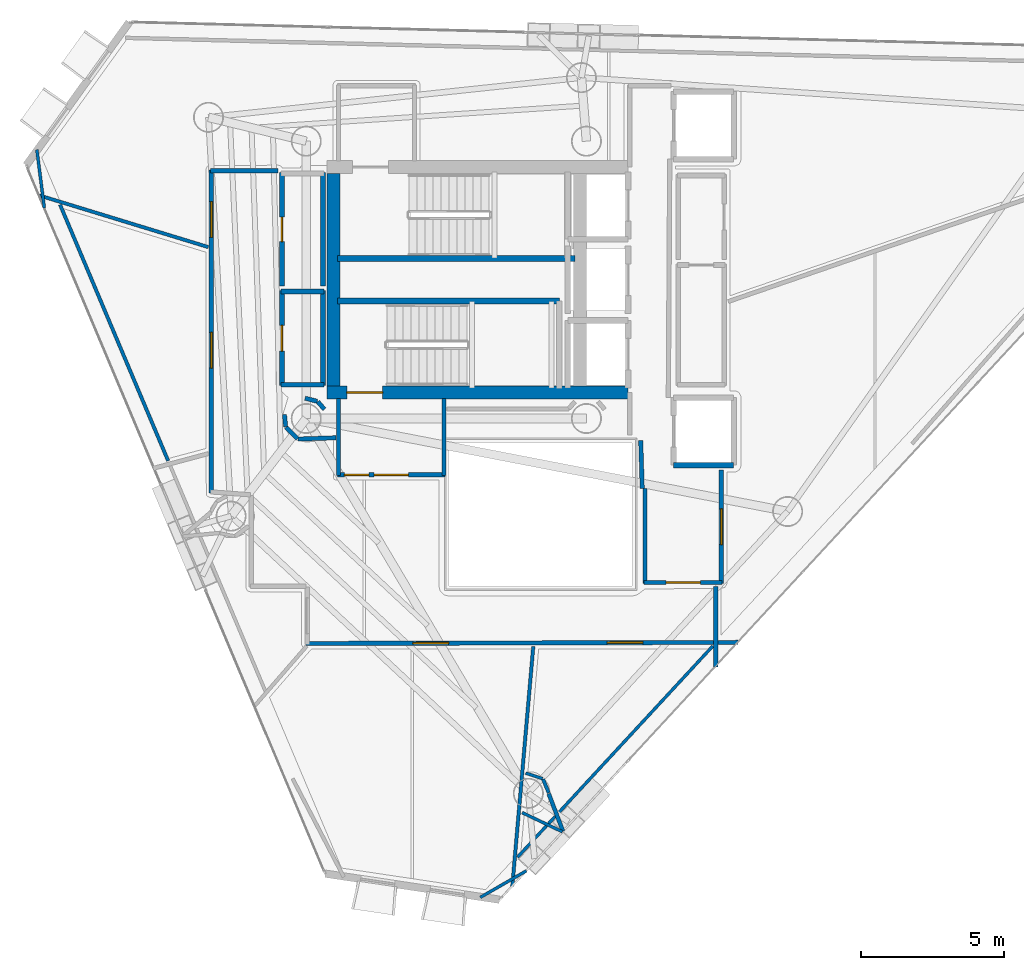
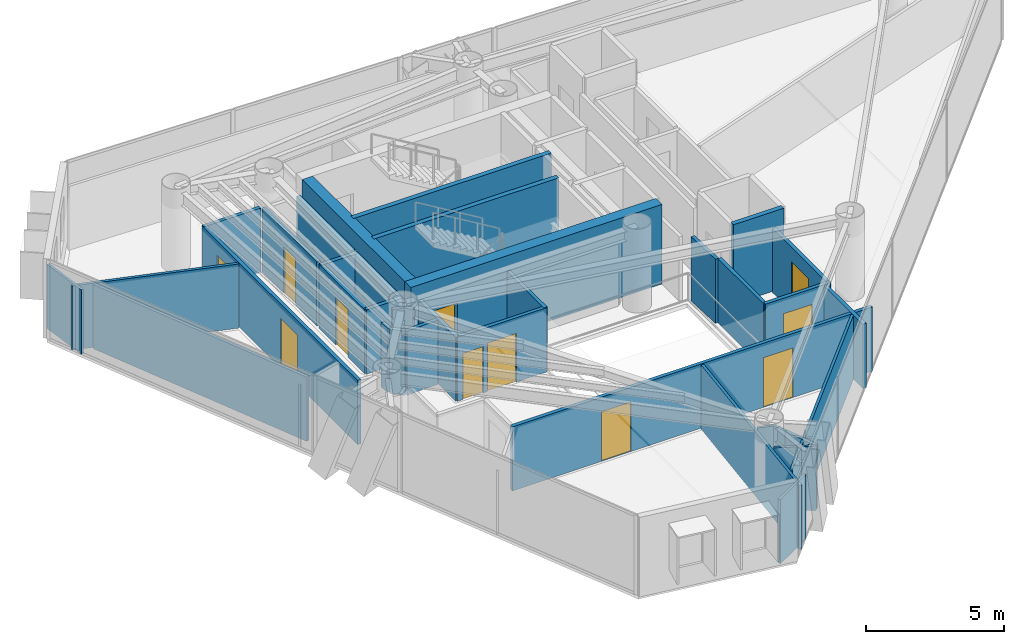
# One storey, part 15 of 21: 37 walls, 11 doors, 11 openings.
"""IFC4 building model written with IfcOpenShell, lengths in metres."""

from ifc_helpers import new_model, si_unit, direction, frame, frame_2d, origin, place, context, subcontext, project, spatial, rectangle, extrude, material, layer, layer_set, type_object, element, fill, save


model = new_model("IFC4")

# Units and contexts
model_context = context("Model", 3, precision=1e-05, world=origin(), true_north=direction((0.0, 1.0)))
body_context = subcontext(model_context, "Body", "Model", "MODEL_VIEW")
ifc_project = project(units=[si_unit("LENGTHUNIT", "METRE"), si_unit("AREAUNIT", "SQUARE_METRE"), si_unit("VOLUMEUNIT", "CUBIC_METRE"), si_unit("PLANEANGLEUNIT", "RADIAN"), si_unit("MASSUNIT", "GRAM", prefix="KILO")], contexts=[model_context])

# Site, building, storey
site_placement = place(None, origin())
site = spatial("IfcSite", under=ifc_project, at=site_placement, CompositionType="ELEMENT")
building_placement = place(site_placement, origin())
building = spatial("IfcBuilding", under=site, at=building_placement, Name="Qianvela Tower", CompositionType="ELEMENT")
storey_placement = place(building_placement, frame((0.0, 0.0, 246.39990234375)))
storey = spatial("IfcBuildingStorey", under=building, at=storey_placement, Name="L63", CompositionType="ELEMENT", Elevation=246.39990234375)

# Wall, opening, door
ifc_material_1 = material(Name="Concrete C50", Category="concrete")
ifc_layer_1 = layer(ifc_material_1, 0.449951171875)
ifc_layer_set_1 = layer_set([ifc_layer_1], Name="Concrete C50")
wall_type_1 = type_object("IfcWallType", Name="WT-CORE-450", PredefinedType="SHEAR", material=ifc_layer_set_1)
wall_1_placement = place(storey_placement, frame((29.330078125, 24.7548828125, 0.0), z_axis=(0.0, 0.0, 1.0), x_axis=(1.0, 0.0, 0.0)))
wall_1 = element("IfcWall", 1, at=wall_1_placement, inside=storey, type_object=wall_type_1, Name="L63 South Core Shear Wall", PredefinedType="SHEAR", context=body_context, shape_type="SweptSolid", body=[
    extrude(rectangle(XDim=10.52001953125, YDim=0.449951171875, at=frame_2d((5.260009765625, 0.0))), origin(), (0.0, 0.0, 1.0), 3.52001953125),
])
opening_1_placement = place(wall_1_placement, frame((0.695068359375, 0.0, 0.0)))
opening_1 = element("IfcOpeningElement", 2, at=opening_1_placement, cuts=wall_1, Name="Opening D-ST1", PredefinedType="OPENING", context=body_context, shape_type="SweptSolid", body=[
    extrude(rectangle(XDim=1.25, YDim=2.14990234375, at=frame_2d((0.625, 1.074951171875))), frame((0.0, 0.23486328125, 0.0), z_axis=(0.0, -1.0, 0.0), x_axis=(1.0, 0.0, 0.0)), (0.0, 0.0, 1.0), 0.469970703125),
])
ifc_material_2 = material(Name="Galvanised Fire Steel Q355B", Category="steel")
door_type_1 = type_object("IfcDoorType", Name="DT-STAIR-FD90", OperationType="NOTDEFINED", PredefinedType="DOOR", material=ifc_material_2)
door_1_placement = place(opening_1_placement, origin())
door_1 = element("IfcDoor", 3, at=door_1_placement, inside=storey, type_object=door_type_1, Name="L63 Stair ST-2 Exit Door", OperationType="SINGLE_SWING_LEFT", OverallHeight=2.14990234375, OverallWidth=1.25, PredefinedType="DOOR", context=body_context, shape_type="SweptSolid", body=[
    extrude(rectangle(XDim=1.25, YDim=2.14990234375, at=frame_2d((0.625, 1.074951171875))), frame((0.0, 0.02490234375, 0.0), z_axis=(0.0, -1.0, 0.0), x_axis=(1.0, 0.0, 0.0)), (0.0, 0.0, 1.0), 0.050048828125),
])
fill(opening_1, door_1)

# Wall
wall_2_placement = place(storey_placement, frame((29.554931640625, 24.97998046875, 0.0), z_axis=(0.0, 0.0, 1.0), x_axis=(0.0, 1.0, 0.0)))
element("IfcWall", 4, at=wall_2_placement, inside=storey, type_object=wall_type_1, Name="L63 West Core Shear Wall", PredefinedType="SHEAR", context=body_context, shape_type="SweptSolid", body=[
    extrude(rectangle(XDim=7.43994140625, YDim=0.449951171875, at=frame_2d((3.719970703125, 0.0))), origin(), (0.0, 0.0, 1.0), 3.52001953125),
])

# Wall, openings, doors
ifc_material_3 = material(Name="Fire-Rated Acoustic Gypsum Board")
ifc_layer_2 = layer(ifc_material_3, 0.14990234375)
ifc_layer_set_2 = layer_set([ifc_layer_2], Name="Fire-Rated Acoustic Gypsum Board")
wall_type_2 = type_object("IfcWallType", Name="WT-CORR-150", PredefinedType="PARTITIONING", material=ifc_layer_set_2)
wall_3_placement = place(storey_placement, frame((33.449951171875, 21.881103515625, 0.0), z_axis=(0.0, 0.0, 1.0), x_axis=(-1.0, 0.0, 0.0)))
wall_3 = element("IfcWall", 5, at=wall_3_placement, inside=storey, type_object=wall_type_2, Name="L63 Partition 5", PredefinedType="PARTITIONING", context=body_context, shape_type="SweptSolid", body=[
    extrude(rectangle(XDim=3.75, YDim=0.14990234375, at=frame_2d((1.875, 0.0))), origin(), (0.0, 0.0, 1.0), 2.840087890625),
])
opening_2_placement = place(wall_3_placement, frame((1.27490234375, 0.0, 0.0)))
opening_2 = element("IfcOpeningElement", 6, at=opening_2_placement, cuts=wall_3, Name="Opening D-LB1", PredefinedType="OPENING", context=body_context, shape_type="SweptSolid", body=[
    extrude(rectangle(XDim=1.199951171875, YDim=2.14990234375, at=frame_2d((0.60009765625, 1.074951171875))), frame((0.0, 0.0849609375, 0.0), z_axis=(0.0, -1.0, 0.0), x_axis=(1.0, 0.0, 0.0)), (0.0, 0.0, 1.0), 0.169921875),
])
opening_3_placement = place(wall_3_placement, frame((2.659912109375, 0.0, 0.0)))
opening_3 = element("IfcOpeningElement", 7, at=opening_3_placement, cuts=wall_3, Name="Opening D-LB2", PredefinedType="OPENING", context=body_context, shape_type="SweptSolid", body=[
    extrude(rectangle(XDim=0.860107421875, YDim=2.050048828125, at=frame_2d((0.43017578125, 1.02490234375))), frame((0.0, 0.0849609375, 0.0), z_axis=(0.0, -1.0, 0.0), x_axis=(1.0, 0.0, 0.0)), (0.0, 0.0, 1.0), 0.169921875),
])
ifc_material_4 = material(Name="Glazed Fire-Rated Steel Frame", Category="steel")
door_type_2 = type_object("IfcDoorType", Name="DT-LOBBY-FD90", OperationType="NOTDEFINED", PredefinedType="DOOR", material=ifc_material_4)
door_2_placement = place(opening_2_placement, origin())
door_2 = element("IfcDoor", 8, at=door_2_placement, inside=storey, type_object=door_type_2, Name="L63 Door L63 Firefighting Lobby South to L63 Floor Corridor", OperationType="SINGLE_SWING_LEFT", OverallHeight=2.14990234375, OverallWidth=1.199951171875, PredefinedType="DOOR", context=body_context, shape_type="SweptSolid", body=[
    extrude(rectangle(XDim=1.199951171875, YDim=2.14990234375, at=frame_2d((0.60009765625, 1.074951171875))), frame((0.0, 0.02490234375, 0.0), z_axis=(0.0, -1.0, 0.0), x_axis=(1.0, 0.0, 0.0)), (0.0, 0.0, 1.0), 0.050048828125),
])
fill(opening_2, door_2)
ifc_material_5 = material(Name="Insulated Steel Fire Door Q355B", Category="steel")
door_type_3 = type_object("IfcDoorType", Name="DT-LOBBY-FD90-860", OperationType="NOTDEFINED", PredefinedType="DOOR", material=ifc_material_5)
door_3_placement = place(opening_3_placement, origin())
door_3 = element("IfcDoor", 9, at=door_3_placement, inside=storey, type_object=door_type_3, Name="L63 Door L63 Firefighting Lobby South to L63 Floor Corridor", OperationType="SINGLE_SWING_LEFT", OverallHeight=2.050048828125, OverallWidth=0.860107421875, PredefinedType="DOOR", context=body_context, shape_type="SweptSolid", body=[
    extrude(rectangle(XDim=0.860107421875, YDim=2.050048828125, at=frame_2d((0.43017578125, 1.02490234375))), frame((0.0, 0.02490234375, 0.0), z_axis=(0.0, -1.0, 0.0), x_axis=(1.0, 0.0, 0.0)), (0.0, 0.0, 1.0), 0.050048828125),
])
fill(opening_3, door_3)

# Walls
for number, where, z_axis, x_axis, name in (
    (10, (29.73095703125, 21.85009765625, 0.0), (0.0, 0.0, 1.0), (0.0, 1.0, 0.0), "L63 Partition 6"),
    (11, (33.4189453125, 24.5419921875, 0.0), (0.0, 0.0, 1.0), (0.0, -1.0, 0.0), "L63 Partition 8"),
):
    element("IfcWall", number, at=place(storey_placement, frame(where, z_axis=z_axis, x_axis=x_axis)), inside=storey, type_object=wall_type_2, Name=name, PredefinedType="PARTITIONING", context=body_context, shape_type="SweptSolid", body=[
        extrude(rectangle(XDim=2.69189453125, YDim=0.14990234375, at=frame_2d((1.345947265625, 0.0))), origin(), (0.0, 0.0, 1.0), 2.840087890625),
    ])
wall_4_placement = place(storey_placement, frame((40.35107421875, 21.40087890625, 0.0), z_axis=(0.0, 0.0, 1.0), x_axis=(-0.031058045979, 0.999517582527, 0.0)))
element("IfcWall", 12, at=wall_4_placement, inside=storey, type_object=wall_type_2, Name="L63 Partition 9", PredefinedType="PARTITIONING", context=body_context, shape_type="SweptSolid", body=[
    extrude(rectangle(XDim=1.68212890625, YDim=0.14990234375, at=frame_2d((0.841064453125, 0.0))), origin(), (0.0, 0.0, 1.0), 2.840087890625),
])

# Wall, opening, door
wall_5_placement = place(storey_placement, frame((43.118896484375, 22.050048828125, 0.0), z_axis=(0.0, 0.0, 1.0), x_axis=(0.0, -1.0, 0.0)))
wall_5 = element("IfcWall", 13, at=wall_5_placement, inside=storey, type_object=wall_type_2, Name="L63 Partition 16", PredefinedType="PARTITIONING", context=body_context, shape_type="SweptSolid", body=[
    extrude(rectangle(XDim=3.969970703125, YDim=0.14990234375, at=frame_2d((1.98486328125, 0.0))), origin(), (0.0, 0.0, 1.0), 2.840087890625),
])
opening_4_placement = place(wall_5_placement, frame((1.360107421875, 0.0, 0.0)))
opening_4 = element("IfcOpeningElement", 14, at=opening_4_placement, cuts=wall_5, Name="Opening D-LG1", PredefinedType="OPENING", context=body_context, shape_type="SweptSolid", body=[
    extrude(rectangle(XDim=1.25, YDim=2.199951171875, at=frame_2d((0.625, 1.10009765625))), frame((0.0, 0.0849609375, 0.0), z_axis=(0.0, -1.0, 0.0), x_axis=(1.0, 0.0, 0.0)), (0.0, 0.0, 1.0), 0.169921875),
])
ifc_material_6 = material(Name="Anodised Aluminium Acoustic Glass Door", Category="aluminium")
door_type_4 = type_object("IfcDoorType", Name="DT-LOUNGE-1250", OperationType="NOTDEFINED", PredefinedType="DOOR", material=ifc_material_6)
door_4_placement = place(opening_4_placement, origin())
door_4 = element("IfcDoor", 15, at=door_4_placement, inside=storey, type_object=door_type_4, Name="L63 Door Peer Support Study Room L63-04 to L63 Lift Lobby", OperationType="SINGLE_SWING_LEFT", OverallHeight=2.199951171875, OverallWidth=1.25, PredefinedType="DOOR", context=body_context, shape_type="SweptSolid", body=[
    extrude(rectangle(XDim=1.25, YDim=2.199951171875, at=frame_2d((0.625, 1.10009765625))), frame((0.0, 0.02490234375, 0.0), z_axis=(0.0, -1.0, 0.0), x_axis=(1.0, 0.0, 0.0)), (0.0, 0.0, 1.0), 0.050048828125),
])
fill(opening_4, door_4)

wall_6_placement = place(storey_placement, frame((43.14990234375, 18.111083984375, 0.0), z_axis=(0.0, 0.0, 1.0), x_axis=(-1.0, 0.0, 0.0)))
wall_6 = element("IfcWall", 16, at=wall_6_placement, inside=storey, type_object=wall_type_2, Name="L63 Partition 17", PredefinedType="PARTITIONING", context=body_context, shape_type="SweptSolid", body=[
    extrude(rectangle(XDim=2.72998046875, YDim=0.14990234375, at=frame_2d((1.364990234375, 0.0))), origin(), (0.0, 0.0, 1.0), 2.840087890625),
])
opening_5_placement = place(wall_6_placement, frame((0.764892578125, 0.0, 0.0)))
opening_5 = element("IfcOpeningElement", 17, at=opening_5_placement, cuts=wall_6, Name="Opening D-LB1", PredefinedType="OPENING", context=body_context, shape_type="SweptSolid", body=[
    extrude(rectangle(XDim=1.199951171875, YDim=2.14990234375, at=frame_2d((0.60009765625, 1.074951171875))), frame((0.0, 0.0849609375, 0.0), z_axis=(0.0, -1.0, 0.0), x_axis=(1.0, 0.0, 0.0)), (0.0, 0.0, 1.0), 0.169921875),
])
door_5_placement = place(opening_5_placement, origin())
door_5 = element("IfcDoor", 18, at=door_5_placement, inside=storey, type_object=door_type_2, Name="L63 Door L63 Lift Lobby to L63 Floor Corridor", OperationType="SINGLE_SWING_RIGHT", OverallHeight=2.14990234375, OverallWidth=1.199951171875, PredefinedType="DOOR", context=body_context, shape_type="SweptSolid", body=[
    extrude(rectangle(XDim=1.199951171875, YDim=2.14990234375, at=frame_2d((0.60009765625, 1.074951171875))), frame((0.0, 0.02490234375, 0.0), z_axis=(0.0, -1.0, 0.0), x_axis=(1.0, 0.0, 0.0)), (0.0, 0.0, 1.0), 0.050048828125),
])
fill(opening_5, door_5)

# Walls
wall_7_placement = place(storey_placement, frame((40.450927734375, 18.080078125, 0.0), z_axis=(0.0, 0.0, 1.0), x_axis=(0.0, 1.0, 0.0)))
element("IfcWall", 19, at=wall_7_placement, inside=storey, type_object=wall_type_2, Name="L63 Partition 18 seg 1", PredefinedType="PARTITIONING", context=body_context, shape_type="SweptSolid", body=[
    extrude(rectangle(XDim=3.31982421875, YDim=0.14990234375, at=frame_2d((1.659912109375, 0.0))), origin(), (0.0, 0.0, 1.0), 2.840087890625),
])
wall_8_placement = place(storey_placement, frame((29.236083984375, 24.170166015625, 0.0), z_axis=(0.0, 0.0, 1.0), x_axis=(-0.652260263346, 0.757995084984, 0.0)))
element("IfcWall", 20, at=wall_8_placement, inside=storey, type_object=wall_type_2, Name="L63 Partition 39", PredefinedType="PARTITIONING", context=body_context, shape_type="SweptSolid", body=[
    extrude(rectangle(XDim=0.35546875, YDim=0.14990234375, at=frame_2d((0.177734375, 0.0))), origin(), (0.0, 0.0, 1.0), 2.840087890625),
])
wall_9_placement = place(storey_placement, frame((28.98828125, 24.44970703125, 0.0), z_axis=(0.0, 0.0, 1.0), x_axis=(-0.968704505916, 0.248216800836, 0.0)))
element("IfcWall", 21, at=wall_9_placement, inside=storey, type_object=wall_type_2, Name="L63 Partition 40", PredefinedType="PARTITIONING", context=body_context, shape_type="SweptSolid", body=[
    extrude(rectangle(XDim=0.444580078125, YDim=0.14990234375, at=frame_2d((0.22216796875, 0.0))), origin(), (0.0, 0.0, 1.0), 2.840087890625),
])
wall_10_placement = place(storey_placement, frame((27.83837890625, 23.9921875, 0.0), z_axis=(0.0, 0.0, 1.0), x_axis=(0.098273407977, -0.995159453196, 0.0)))
element("IfcWall", 22, at=wall_10_placement, inside=storey, type_object=wall_type_2, Name="L63 Partition 54", PredefinedType="PARTITIONING", context=body_context, shape_type="SweptSolid", body=[
    extrude(rectangle(XDim=0.432373046875, YDim=0.14990234375, at=frame_2d((0.21630859375, 0.0))), origin(), (0.0, 0.0, 1.0), 2.840087890625),
])
wall_11_placement = place(storey_placement, frame((27.889892578125, 23.54296875, 0.0), z_axis=(0.0, 0.0, 1.0), x_axis=(0.707106781187, -0.707106781187, 0.0)))
element("IfcWall", 23, at=wall_11_placement, inside=storey, type_object=wall_type_2, Name="L63 Partition 55", PredefinedType="PARTITIONING", context=body_context, shape_type="SweptSolid", body=[
    extrude(rectangle(XDim=0.570068359375, YDim=0.14990234375, at=frame_2d((0.28515625, 0.0))), origin(), (0.0, 0.0, 1.0), 2.840087890625),
])
wall_12_placement = place(storey_placement, frame((28.31591796875, 23.130615234375, 0.0), z_axis=(0.0, 0.0, 1.0), x_axis=(0.999405342193, 0.034481328227, 0.0)))
element("IfcWall", 24, at=wall_12_placement, inside=storey, type_object=wall_type_2, Name="L63 Partition 56", PredefinedType="PARTITIONING", context=body_context, shape_type="SweptSolid", body=[
    extrude(rectangle(XDim=1.323974609375, YDim=0.14990234375, at=frame_2d((0.662109375, 0.0))), origin(), (0.0, 0.0, 1.0), 2.840087890625),
])
wall_13_placement = place(storey_placement, frame((42.9189453125, 17.97998046875, 0.0), z_axis=(0.0, 0.0, 1.0), x_axis=(0.0, -1.0, 0.0)))
element("IfcWall", 25, at=wall_13_placement, inside=storey, type_object=wall_type_2, Name="L63 Partition 60", PredefinedType="PARTITIONING", context=body_context, shape_type="SweptSolid", body=[
    extrude(rectangle(XDim=2.812255859375, YDim=0.14990234375, at=frame_2d((1.40625, 0.0))), origin(), (0.0, 0.0, 1.0), 2.840087890625),
])

# Wall, openings, doors
wall_14_placement = place(storey_placement, frame((43.708740234375, 16.02001953125, 0.0), z_axis=(0.0, 0.0, 1.0), x_axis=(-0.999996657873, -0.002585390319, 0.0)))
wall_14 = element("IfcWall", 26, at=wall_14_placement, inside=storey, type_object=wall_type_2, Name="L63 Partition 61", PredefinedType="PARTITIONING", context=body_context, shape_type="SweptSolid", body=[
    extrude(rectangle(XDim=15.10888671875, YDim=0.14990234375, at=frame_2d((7.554443359375, 0.0))), origin(), (0.0, 0.0, 1.0), 2.840087890625),
])
opening_6_placement = place(wall_14_placement, frame((10.12939453125, 0.0, 0.0)))
opening_6 = element("IfcOpeningElement", 27, at=opening_6_placement, cuts=wall_14, Name="Opening D-LG1", PredefinedType="OPENING", context=body_context, shape_type="SweptSolid", body=[
    extrude(rectangle(XDim=1.25, YDim=2.199951171875, at=frame_2d((0.625, 1.10009765625))), frame((0.0, 0.0849609375, 0.0), z_axis=(0.0, -1.0, 0.0), x_axis=(1.0, 0.0, 0.0)), (0.0, 0.0, 1.0), 0.169921875),
])
opening_7_placement = place(wall_14_placement, frame((3.3369140625, 0.0, 0.0)))
opening_7 = element("IfcOpeningElement", 28, at=opening_7_placement, cuts=wall_14, Name="Opening D-LG1", PredefinedType="OPENING", context=body_context, shape_type="SweptSolid", body=[
    extrude(rectangle(XDim=1.25, YDim=2.199951171875, at=frame_2d((0.625, 1.10009765625))), frame((0.0, 0.0849609375, 0.0), z_axis=(0.0, -1.0, 0.0), x_axis=(1.0, 0.0, 0.0)), (0.0, 0.0, 1.0), 0.169921875),
])
door_6_placement = place(opening_6_placement, origin())
door_6 = element("IfcDoor", 29, at=door_6_placement, inside=storey, type_object=door_type_4, Name="L63 Door Maker Craft Workshop L63-02 to L63 Floor Corridor", OperationType="SINGLE_SWING_LEFT", OverallHeight=2.199951171875, OverallWidth=1.25, PredefinedType="DOOR", context=body_context, shape_type="SweptSolid", body=[
    extrude(rectangle(XDim=1.25, YDim=2.199951171875, at=frame_2d((0.625, 1.10009765625))), frame((0.0, 0.02490234375, 0.0), z_axis=(0.0, -1.0, 0.0), x_axis=(1.0, 0.0, 0.0)), (0.0, 0.0, 1.0), 0.050048828125),
])
fill(opening_6, door_6)
door_7_placement = place(opening_7_placement, origin())
door_7 = element("IfcDoor", 30, at=door_7_placement, inside=storey, type_object=door_type_4, Name="L63 Door Student Reading Library L63-03 to L63 Floor Corridor", OperationType="SINGLE_SWING_RIGHT", OverallHeight=2.199951171875, OverallWidth=1.25, PredefinedType="DOOR", context=body_context, shape_type="SweptSolid", body=[
    extrude(rectangle(XDim=1.25, YDim=2.199951171875, at=frame_2d((0.625, 1.10009765625))), frame((0.0, 0.02490234375, 0.0), z_axis=(0.0, -1.0, 0.0), x_axis=(1.0, 0.0, 0.0)), (0.0, 0.0, 1.0), 0.050048828125),
])
fill(opening_7, door_7)

wall_15_placement = place(storey_placement, frame((25.281005859375, 21.253173828125, 0.0), z_axis=(0.0, 0.0, 1.0), x_axis=(0.0, 1.0, 0.0)))
wall_15 = element("IfcWall", 31, at=wall_15_placement, inside=storey, type_object=wall_type_2, Name="L63 Partition 66", PredefinedType="PARTITIONING", context=body_context, shape_type="SweptSolid", body=[
    extrude(rectangle(XDim=11.296875, YDim=0.14990234375, at=frame_2d((5.6484375, 0.0))), origin(), (0.0, 0.0, 1.0), 2.840087890625),
])
opening_8_placement = place(wall_15_placement, frame((8.933349609375, 0.0, 0.0)))
opening_8 = element("IfcOpeningElement", 32, at=opening_8_placement, cuts=wall_15, Name="Opening D-LG1", PredefinedType="OPENING", context=body_context, shape_type="SweptSolid", body=[
    extrude(rectangle(XDim=1.25, YDim=2.199951171875, at=frame_2d((0.625, 1.10009765625))), frame((0.0, 0.0849609375, 0.0), z_axis=(0.0, -1.0, 0.0), x_axis=(1.0, 0.0, 0.0)), (0.0, 0.0, 1.0), 0.169921875),
])
opening_9_placement = place(wall_15_placement, frame((4.3564453125, 0.0, 0.0)))
opening_9 = element("IfcOpeningElement", 33, at=opening_9_placement, cuts=wall_15, Name="Opening D-LG1", PredefinedType="OPENING", context=body_context, shape_type="SweptSolid", body=[
    extrude(rectangle(XDim=1.25, YDim=2.199951171875, at=frame_2d((0.625, 1.10009765625))), frame((0.0, 0.0849609375, 0.0), z_axis=(0.0, -1.0, 0.0), x_axis=(1.0, 0.0, 0.0)), (0.0, 0.0, 1.0), 0.169921875),
])
door_8_placement = place(opening_8_placement, origin())
door_8 = element("IfcDoor", 34, at=door_8_placement, inside=storey, type_object=door_type_4, Name="L63 Door Academic Advising Lounge L63-05 to L63 Floor Corridor", OperationType="SINGLE_SWING_RIGHT", OverallHeight=2.199951171875, OverallWidth=1.25, PredefinedType="DOOR", context=body_context, shape_type="SweptSolid", body=[
    extrude(rectangle(XDim=1.25, YDim=2.199951171875, at=frame_2d((0.625, 1.10009765625))), frame((0.0, 0.02490234375, 0.0), z_axis=(0.0, -1.0, 0.0), x_axis=(1.0, 0.0, 0.0)), (0.0, 0.0, 1.0), 0.050048828125),
])
fill(opening_8, door_8)
door_9_placement = place(opening_9_placement, origin())
door_9 = element("IfcDoor", 35, at=door_9_placement, inside=storey, type_object=door_type_4, Name="L63 Door Student Wellness Lounge L63-06 to L63 Floor Corridor", OperationType="SINGLE_SWING_LEFT", OverallHeight=2.199951171875, OverallWidth=1.25, PredefinedType="DOOR", context=body_context, shape_type="SweptSolid", body=[
    extrude(rectangle(XDim=1.25, YDim=2.199951171875, at=frame_2d((0.625, 1.10009765625))), frame((0.0, 0.02490234375, 0.0), z_axis=(0.0, -1.0, 0.0), x_axis=(1.0, 0.0, 0.0)), (0.0, 0.0, 1.0), 0.050048828125),
])
fill(opening_9, door_9)

# Walls
wall_16_placement = place(storey_placement, frame((25.25, 32.51904296875, 0.0), z_axis=(0.0, 0.0, 1.0), x_axis=(1.0, 0.0, 0.0)))
element("IfcWall", 36, at=wall_16_placement, inside=storey, type_object=wall_type_2, Name="L63 Partition 67", PredefinedType="PARTITIONING", context=body_context, shape_type="SweptSolid", body=[
    extrude(rectangle(XDim=2.3701171875, YDim=0.14990234375, at=frame_2d((1.18505859375, 0.0))), origin(), (0.0, 0.0, 1.0), 2.840087890625),
])
ifc_material_7 = material(Name="Lightweight Gypsum Room Partition")
ifc_layer_3 = layer(ifc_material_7, 0.10498046875)
ifc_layer_set_3 = layer_set([ifc_layer_3], Name="Lightweight Gypsum Room Partition")
wall_type_3 = type_object("IfcWallType", Name="WT-PART-105", PredefinedType="PARTITIONING", material=ifc_layer_set_3)
wall_17_placement = place(storey_placement, frame((36.29833984375, 8.02978515625, 0.0), z_axis=(0.0, 0.0, 1.0), x_axis=(-0.866165900759, -0.499756573106, 0.0)))
element("IfcWall", 37, at=wall_17_placement, inside=storey, type_object=wall_type_3, Name="L63 Partition 82", PredefinedType="PARTITIONING", context=body_context, shape_type="SweptSolid", body=[
    extrude(rectangle(XDim=1.8583984375, YDim=0.10498046875, at=frame_2d((0.92919921875, 0.0))), origin(), (0.0, 0.0, 1.0), 2.840087890625),
])
wall_18_placement = place(storey_placement, frame((36.15478515625, 10.065185546875, 0.0), z_axis=(0.0, 0.0, 1.0), x_axis=(0.902669244989, -0.430335025476, 0.0)))
element("IfcWall", 38, at=wall_18_placement, inside=storey, type_object=wall_type_3, Name="L63 Partition 88", PredefinedType="PARTITIONING", context=body_context, shape_type="SweptSolid", body=[
    extrude(rectangle(XDim=1.557861328125, YDim=0.10498046875, at=frame_2d((0.77880859375, 0.0))), origin(), (0.0, 0.0, 1.0), 2.840087890625),
])
wall_19_placement = place(storey_placement, frame((36.86279296875, 11.255859375, 0.0), z_axis=(0.0, 0.0, 1.0), x_axis=(-0.95118515413, 0.30862080708, 0.0)))
element("IfcWall", 39, at=wall_19_placement, inside=storey, type_object=wall_type_3, Name="L63 Partition 91", PredefinedType="PARTITIONING", context=body_context, shape_type="SweptSolid", body=[
    extrude(rectangle(XDim=0.616943359375, YDim=0.10498046875, at=frame_2d((0.30859375, 0.0))), origin(), (0.0, 0.0, 1.0), 2.840087890625),
])
wall_20_placement = place(storey_placement, frame((42.819091796875, 15.89111328125, 0.0), z_axis=(0.0, 0.0, 1.0), x_axis=(-0.679018444949, -0.734121210305, 0.0)))
element("IfcWall", 40, at=wall_20_placement, inside=storey, type_object=wall_type_3, Name="L63 Partition 94", PredefinedType="PARTITIONING", context=body_context, shape_type="SweptSolid", body=[
    extrude(rectangle(XDim=10.06201171875, YDim=0.10498046875, at=frame_2d((5.031005859375, 0.0))), origin(), (0.0, 0.0, 1.0), 2.840087890625),
])
wall_21_placement = place(storey_placement, frame((19.439208984375, 31.217041015625, 0.0), z_axis=(0.0, 0.0, 1.0), x_axis=(-0.126993176295, 0.991903590665, 0.0)))
element("IfcWall", 41, at=wall_21_placement, inside=storey, type_object=wall_type_3, Name="L63 Partition 109", PredefinedType="PARTITIONING", context=body_context, shape_type="SweptSolid", body=[
    extrude(rectangle(XDim=2.05126953125, YDim=0.10498046875, at=frame_2d((1.025634765625, 0.0))), origin(), (0.0, 0.0, 1.0), 2.840087890625),
])
ifc_material_8 = material(Name="Insulated Gypsum Stud Partition")
ifc_layer_4 = layer(ifc_material_8, 0.1201171875)
ifc_layer_set_4 = layer_set([ifc_layer_4], Name="Insulated Gypsum Stud Partition")
wall_type_4 = type_object("IfcWallType", Name="WT-PART-120", PredefinedType="PARTITIONING", material=ifc_layer_set_4)
wall_22_placement = place(storey_placement, frame((36.540771484375, 15.872802734375, 0.0), z_axis=(0.0, 0.0, 1.0), x_axis=(-0.087164793469, -0.996193906215, 0.0)))
element("IfcWall", 42, at=wall_22_placement, inside=storey, type_object=wall_type_4, Name="L63 Partition 87", PredefinedType="PARTITIONING", context=body_context, shape_type="SweptSolid", body=[
    extrude(rectangle(XDim=8.425048828125, YDim=0.1201171875, at=frame_2d((4.21240234375, 0.0))), origin(), (0.0, 0.0, 1.0), 2.840087890625),
])
wall_23_placement = place(storey_placement, frame((37.08251953125, 10.75390625, 0.0), z_axis=(0.0, 0.0, 1.0), x_axis=(-0.382365504574, 0.924011158435, 0.0)))
element("IfcWall", 43, at=wall_23_placement, inside=storey, type_object=wall_type_4, Name="L63 Partition 90 seg 1", PredefinedType="PARTITIONING", context=body_context, shape_type="SweptSolid", body=[
    extrude(rectangle(XDim=0.524169921875, YDim=0.1201171875, at=frame_2d((0.26220703125, 0.0))), origin(), (0.0, 0.0, 1.0), 2.840087890625),
])
wall_24_placement = place(storey_placement, frame((25.17919921875, 29.84326171875, 0.0), z_axis=(0.0, 0.0, 1.0), x_axis=(-0.956308261193, 0.292360239385, 0.0)))
element("IfcWall", 44, at=wall_24_placement, inside=storey, type_object=wall_type_4, Name="L63 Partition 108", PredefinedType="PARTITIONING", context=body_context, shape_type="SweptSolid", body=[
    extrude(rectangle(XDim=6.21533203125, YDim=0.1201171875, at=frame_2d((3.107666015625, 0.0))), origin(), (0.0, 0.0, 1.0), 2.840087890625),
])
wall_25_placement = place(storey_placement, frame((23.77099609375, 22.369140625, 0.0), z_axis=(0.0, 0.0, 1.0), x_axis=(-0.388787402113, 0.921327496582, 0.0)))
element("IfcWall", 45, at=wall_25_placement, inside=storey, type_object=wall_type_4, Name="L63 Partition 123 seg 1", PredefinedType="PARTITIONING", context=body_context, shape_type="SweptSolid", body=[
    extrude(rectangle(XDim=9.726318359375, YDim=0.1201171875, at=frame_2d((4.86328125, 0.0))), origin(), (0.0, 0.0, 1.0), 2.840087890625),
])

# Wall, opening, door
ifc_material_9 = material(Name="Sanitary Service Chase Partition")
ifc_layer_5 = layer(ifc_material_9, 0.1650390625)
ifc_layer_set_5 = layer_set([ifc_layer_5], Name="Sanitary Service Chase Partition")
wall_type_5 = type_object("IfcWallType", Name="WT-PLUMB-165", PredefinedType="PLUMBINGWALL", material=ifc_layer_set_5)
wall_26_placement = place(storey_placement, frame((27.7509765625, 25.0, 0.0), z_axis=(0.0, 0.0, 1.0), x_axis=(0.0, 1.0, 0.0)))
wall_26 = element("IfcWall", 46, at=wall_26_placement, inside=storey, type_object=wall_type_5, Name="L63 Partition 27", PredefinedType="PLUMBINGWALL", context=body_context, shape_type="SweptSolid", body=[
    extrude(rectangle(XDim=3.320068359375, YDim=0.1650390625, at=frame_2d((1.66015625, 0.0))), origin(), (0.0, 0.0, 1.0), 2.840087890625),
])
opening_10_placement = place(wall_26_placement, frame((1.2099609375, 0.0, 0.0)))
opening_10 = element("IfcOpeningElement", 47, at=opening_10_placement, cuts=wall_26, Name="Opening D-KT1", PredefinedType="OPENING", context=body_context, shape_type="SweptSolid", body=[
    extrude(rectangle(XDim=0.89990234375, YDim=2.10009765625, at=frame_2d((0.449951171875, 1.050048828125))), frame((0.0, 0.092529296875, 0.0), z_axis=(0.0, -1.0, 0.0), x_axis=(1.0, 0.0, 0.0)), (0.0, 0.0, 1.0), 0.18505859375),
])
ifc_material_10 = material(Name="Glazed Timber Kitchen Door", Category="wood")
door_type_5 = type_object("IfcDoorType", Name="DT-KITCH-900", OperationType="NOTDEFINED", PredefinedType="DOOR", material=ifc_material_10)
door_10_placement = place(opening_10_placement, origin())
door_10 = element("IfcDoor", 48, at=door_10_placement, inside=storey, type_object=door_type_5, Name="L63 Door L63 Core Tea Pantry West to L63 Floor Corridor", OperationType="SINGLE_SWING_LEFT", OverallHeight=2.10009765625, OverallWidth=0.89990234375, PredefinedType="DOOR", context=body_context, shape_type="SweptSolid", body=[
    extrude(rectangle(XDim=0.89990234375, YDim=2.10009765625, at=frame_2d((0.449951171875, 1.050048828125))), frame((0.0, 0.02490234375, 0.0), z_axis=(0.0, -1.0, 0.0), x_axis=(1.0, 0.0, 0.0)), (0.0, 0.0, 1.0), 0.050048828125),
])
fill(opening_10, door_10)

# Walls
wall_27_placement = place(storey_placement, frame((27.719970703125, 28.2890625, 0.0), z_axis=(0.0, 0.0, 1.0), x_axis=(1.0, 0.0, 0.0)))
element("IfcWall", 49, at=wall_27_placement, inside=storey, type_object=wall_type_5, Name="L63 Partition 28", PredefinedType="PLUMBINGWALL", context=body_context, shape_type="SweptSolid", body=[
    extrude(rectangle(XDim=1.5, YDim=0.1650390625, at=frame_2d((0.75, 0.0))), origin(), (0.0, 0.0, 1.0), 2.840087890625),
])
wall_28_placement = place(storey_placement, frame((29.18896484375, 28.320068359375, 0.0), z_axis=(0.0, 0.0, 1.0), x_axis=(0.0, -1.0, 0.0)))
element("IfcWall", 50, at=wall_28_placement, inside=storey, type_object=wall_type_5, Name="L63 Partition 29", PredefinedType="PLUMBINGWALL", context=body_context, shape_type="SweptSolid", body=[
    extrude(rectangle(XDim=3.320068359375, YDim=0.1650390625, at=frame_2d((1.66015625, 0.0))), origin(), (0.0, 0.0, 1.0), 2.840087890625),
])
wall_29_placement = place(storey_placement, frame((29.219970703125, 25.031005859375, 0.0), z_axis=(0.0, 0.0, 1.0), x_axis=(-1.0, 0.0, 0.0)))
element("IfcWall", 51, at=wall_29_placement, inside=storey, type_object=wall_type_5, Name="L63 Partition 30", PredefinedType="PLUMBINGWALL", context=body_context, shape_type="SweptSolid", body=[
    extrude(rectangle(XDim=1.5, YDim=0.1650390625, at=frame_2d((0.75, 0.0))), origin(), (0.0, 0.0, 1.0), 2.840087890625),
])

# Wall, opening, door
wall_30_placement = place(storey_placement, frame((27.7509765625, 28.47998046875, 0.0), z_axis=(0.0, 0.0, 1.0), x_axis=(0.0, 1.0, 0.0)))
wall_30 = element("IfcWall", 52, at=wall_30_placement, inside=storey, type_object=wall_type_5, Name="L63 Partition 31", PredefinedType="PLUMBINGWALL", context=body_context, shape_type="SweptSolid", body=[
    extrude(rectangle(XDim=3.969970703125, YDim=0.1650390625, at=frame_2d((1.98486328125, 0.0))), origin(), (0.0, 0.0, 1.0), 2.840087890625),
])
opening_11_placement = place(wall_30_placement, frame((1.554931640625, 0.0, 0.0)))
opening_11 = element("IfcOpeningElement", 53, at=opening_11_placement, cuts=wall_30, Name="Opening D-WC1", PredefinedType="OPENING", context=body_context, shape_type="SweptSolid", body=[
    extrude(rectangle(XDim=0.860107421875, YDim=2.050048828125, at=frame_2d((0.43017578125, 1.02490234375))), frame((0.0, 0.092529296875, 0.0), z_axis=(0.0, -1.0, 0.0), x_axis=(1.0, 0.0, 0.0)), (0.0, 0.0, 1.0), 0.18505859375),
])
ifc_material_11 = material(Name="Moisture-Sealed Acoustic Timber Door", Category="wood")
door_type_6 = type_object("IfcDoorType", Name="DT-WC-860", OperationType="NOTDEFINED", PredefinedType="DOOR", material=ifc_material_11)
door_11_placement = place(opening_11_placement, origin())
door_11 = element("IfcDoor", 54, at=door_11_placement, inside=storey, type_object=door_type_6, Name="L63 Door L63 Accessible WC to L63 Floor Corridor", OperationType="SINGLE_SWING_RIGHT", OverallHeight=2.050048828125, OverallWidth=0.860107421875, PredefinedType="DOOR", context=body_context, shape_type="SweptSolid", body=[
    extrude(rectangle(XDim=0.860107421875, YDim=2.050048828125, at=frame_2d((0.43017578125, 1.02490234375))), frame((0.0, 0.02490234375, 0.0), z_axis=(0.0, -1.0, 0.0), x_axis=(1.0, 0.0, 0.0)), (0.0, 0.0, 1.0), 0.050048828125),
])
fill(opening_11, door_11)

# Walls
wall_31_placement = place(storey_placement, frame((29.18896484375, 32.449951171875, 0.0), z_axis=(0.0, 0.0, 1.0), x_axis=(0.0, -1.0, 0.0)))
element("IfcWall", 55, at=wall_31_placement, inside=storey, type_object=wall_type_5, Name="L63 Partition 33", PredefinedType="PLUMBINGWALL", context=body_context, shape_type="SweptSolid", body=[
    extrude(rectangle(XDim=3.969970703125, YDim=0.1650390625, at=frame_2d((1.98486328125, 0.0))), origin(), (0.0, 0.0, 1.0), 2.840087890625),
])
ifc_material_12 = material(Name="Acoustic Double Gypsum Stud Partition")
ifc_layer_6 = layer(ifc_material_12, 0.139892578125)
ifc_layer_set_6 = layer_set([ifc_layer_6], Name="Acoustic Double Gypsum Stud Partition")
wall_type_6 = type_object("IfcWallType", Name="WT-ROOM-140", PredefinedType="PARTITIONING", material=ifc_layer_set_6)
wall_32_placement = place(storey_placement, frame((37.579833984375, 9.415283203125, 0.0), z_axis=(0.0, 0.0, 1.0), x_axis=(-0.355199520758, 0.934790511534, 0.0)))
element("IfcWall", 56, at=wall_32_placement, inside=storey, type_object=wall_type_6, Name="L63 Partition 89", PredefinedType="PARTITIONING", context=body_context, shape_type="SweptSolid", body=[
    extrude(rectangle(XDim=1.403564453125, YDim=0.139892578125, at=frame_2d((0.70166015625, 0.0))), origin(), (0.0, 0.0, 1.0), 2.840087890625),
])
ifc_material_13 = material(Name="Concrete C50", Category="concrete")
ifc_layer_7 = layer(ifc_material_13, 0.199951171875)
ifc_layer_set_7 = layer_set([ifc_layer_7], Name="Concrete C50")
wall_type_7 = type_object("IfcWallType", Name="WT-SHAFT-200", PredefinedType="SOLIDWALL", material=ifc_layer_set_7)
wall_33_placement = place(storey_placement, frame((29.699951171875, 29.449951171875, 0.0), z_axis=(0.0, 0.0, 1.0), x_axis=(1.0, 0.0, 0.0)))
element("IfcWall", 57, at=wall_33_placement, inside=storey, type_object=wall_type_7, Name="L63 Stair ST-1 South Wall", PredefinedType="SOLIDWALL", context=body_context, shape_type="SweptSolid", body=[
    extrude(rectangle(XDim=8.300048828125, YDim=0.199951171875, at=frame_2d((4.14990234375, 0.0))), origin(), (0.0, 0.0, 1.0), 3.52001953125),
])
wall_34_placement = place(storey_placement, frame((29.699951171875, 27.9599609375, 0.0), z_axis=(0.0, 0.0, 1.0), x_axis=(1.0, 0.0, 0.0)))
element("IfcWall", 58, at=wall_34_placement, inside=storey, type_object=wall_type_7, Name="L63 Stair ST-2 North Wall", PredefinedType="SOLIDWALL", context=body_context, shape_type="SweptSolid", body=[
    extrude(rectangle(XDim=7.75, YDim=0.199951171875, at=frame_2d((3.875, 0.0))), origin(), (0.0, 0.0, 1.0), 3.52001953125),
])
wall_35_placement = place(storey_placement, frame((41.449951171875, 22.219970703125, 0.0), z_axis=(0.0, 0.0, 1.0), x_axis=(1.0, 0.0, 0.0)))
element("IfcWall", 59, at=wall_35_placement, inside=storey, type_object=wall_type_7, Name="L63 Lift PL-H2 S Shaft Wall", PredefinedType="SOLIDWALL", context=body_context, shape_type="SweptSolid", body=[
    extrude(rectangle(XDim=2.10009765625, YDim=0.199951171875, at=frame_2d((1.050048828125, 0.0))), origin(), (0.0, 0.0, 1.0), 3.52001953125),
])

save(model, "model.ifc")
